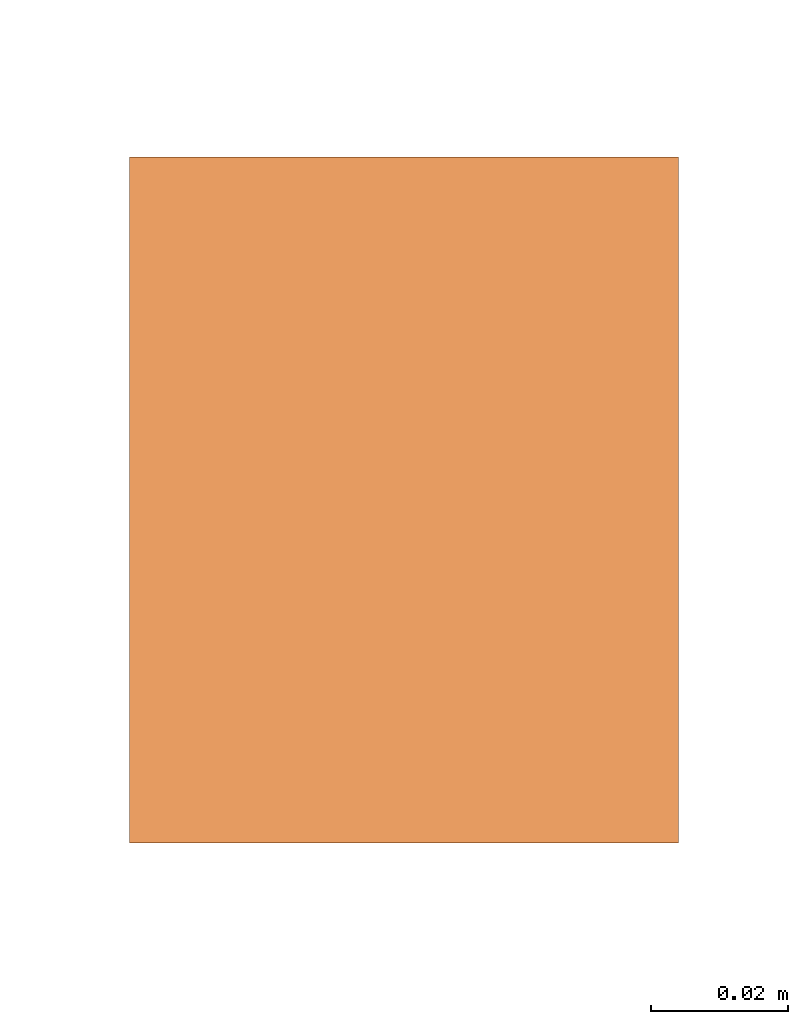
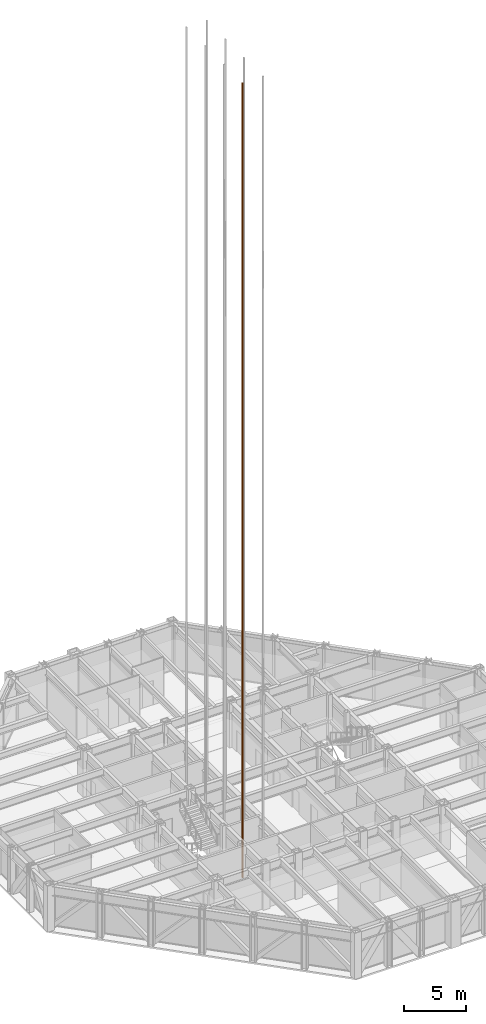
# One storey, part 17 of 24: 1 proxy.
"""IFC4 building model written with IfcOpenShell, lengths in metres."""

from ifc_helpers import new_model, si_unit, direction, frame, origin, origin_2d, place, context, subcontext, project, spatial, rectangle, extrude, material, type_object, element, save


model = new_model("IFC4")

# Units and contexts
model_context = context("Model", 3, precision=1e-05, world=origin(), true_north=direction((0.0, 1.0)))
body_context = subcontext(model_context, "Body", "Model", "MODEL_VIEW")
ifc_project = project(units=[si_unit("LENGTHUNIT", "METRE"), si_unit("AREAUNIT", "SQUARE_METRE"), si_unit("VOLUMEUNIT", "CUBIC_METRE"), si_unit("PLANEANGLEUNIT", "RADIAN"), si_unit("MASSUNIT", "GRAM", prefix="KILO")], contexts=[model_context])

# Site, building, storey
site_placement = place(None, origin())
site = spatial("IfcSite", under=ifc_project, at=site_placement, CompositionType="ELEMENT")
building_placement = place(site_placement, origin())
building = spatial("IfcBuilding", under=site, at=building_placement, Name="Chuquiago Exchange Tower", CompositionType="ELEMENT")
storey_placement = place(building_placement, frame((0.0, 0.0, 180.0)))
storey = spatial("IfcBuildingStorey", under=building, at=storey_placement, Name="L39", CompositionType="ELEMENT", Elevation=180.0)

# Proxy
ifc_material = material(Name="Galvanised steel guide rail", Category="steel")
building_element_proxy_type = type_object("IfcBuildingElementProxyType", Name="LR lift guide rail", PredefinedType="NOTDEFINED", material=ifc_material)
proxy_placement = place(storey_placement, frame((17.06494140625, 16.5, 0.0), z_axis=(0.0, 0.0, 1.0), x_axis=(1.0, 0.0, 0.0)))
element("IfcBuildingElementProxy", 1, at=proxy_placement, inside=storey, type_object=building_element_proxy_type, Name="Lift LC1 guide rail W", PredefinedType="NOTDEFINED", context=body_context, shape_type="SweptSolid", body=[
    extrude(rectangle(XDim=0.080078125, YDim=0.10009765625, at=origin_2d()), origin(), (0.0, 0.0, 1.0), 77.699951171875),
])

save(model, "model.ifc")
